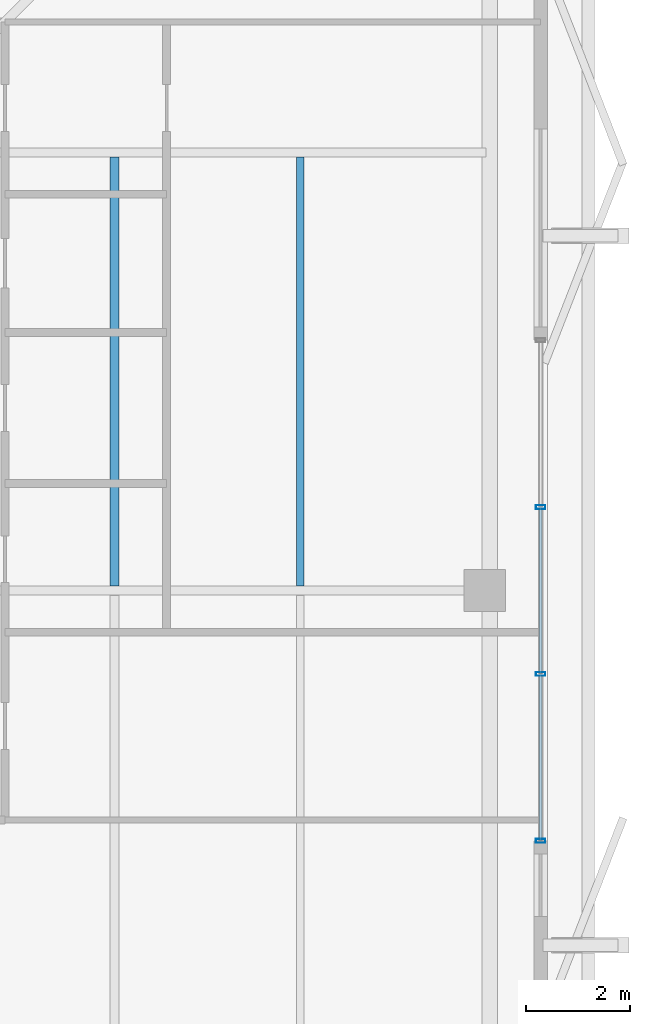
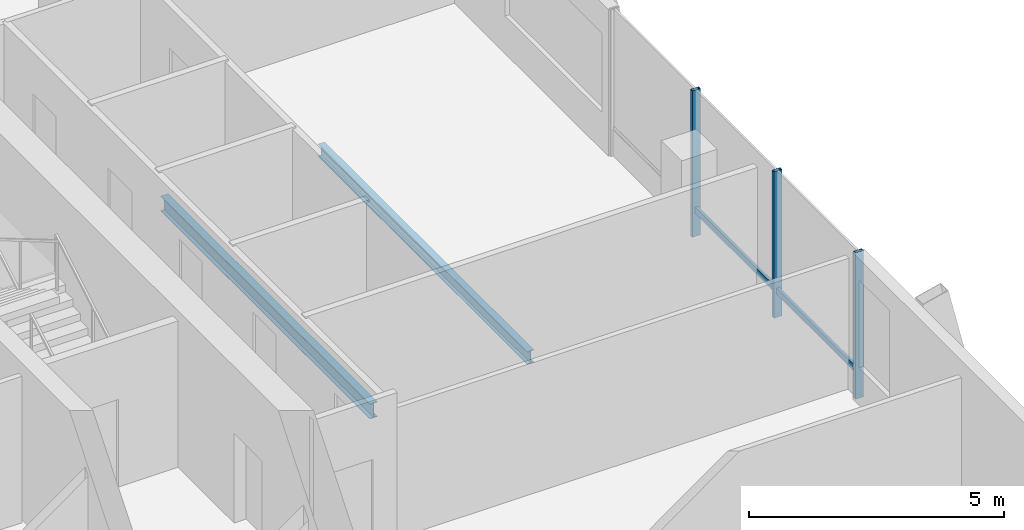
# One storey, part 9 of 18: 5 members, 2 beams, 1 element without a shape of its own.
"""IFC4 building model written with IfcOpenShell, lengths in metres."""

from ifc_helpers import new_model, si_unit, direction, frame, origin, origin_2d, place, context, subcontext, project, spatial, hollow_rectangle, i_section, extrude, material, layer, layer_set, material_profile, profile_set, type_object, element, aggregate, save


model = new_model("IFC4")

# Units and contexts
model_context = context("Model", 3, precision=1e-05, world=origin(), true_north=direction((0.0, 1.0)))
body_context = subcontext(model_context, "Body", "Model", "MODEL_VIEW")
ifc_project = project(units=[si_unit("LENGTHUNIT", "METRE"), si_unit("AREAUNIT", "SQUARE_METRE"), si_unit("VOLUMEUNIT", "CUBIC_METRE"), si_unit("PLANEANGLEUNIT", "RADIAN"), si_unit("MASSUNIT", "GRAM", prefix="KILO")], contexts=[model_context])

# Site, building, storey
site_placement = place(None, origin())
site = spatial("IfcSite", under=ifc_project, at=site_placement, CompositionType="ELEMENT")
building_placement = place(site_placement, origin())
building = spatial("IfcBuilding", under=site, at=building_placement, Name="Belovzor Exchange Tower", CompositionType="ELEMENT")
storey_placement = place(building_placement, frame((0.0, 0.0, 344.25)))
storey = spatial("IfcBuildingStorey", under=building, at=storey_placement, Name="L86", CompositionType="ELEMENT", Elevation=344.25)

# Beams
ifc_material_1 = material(Name="Steel S355", Category="steel")
ifc_material_profile_1 = material_profile(ifc_material_1, i_section(OverallWidth=0.169921875, OverallDepth=0.360107421875, WebThickness=0.008056640625, FlangeThickness=0.0126953125, at=origin_2d()))
ifc_profile_set_1 = profile_set([ifc_material_profile_1], Name="Steel S355")
beam_type_1 = type_object("IfcBeamType", Name="Secondary Infill Floor Joist IPE 360", PredefinedType="BEAM", material=ifc_profile_set_1)
beam_1_placement = place(storey_placement, frame((41.802978515625, 28.889892578125, -0.419921875), z_axis=(0.0, 1.0, 0.0), x_axis=(-1.0, 0.0, 0.0)))
element("IfcBeam", 1, at=beam_1_placement, inside=storey, type_object=beam_type_1, Name="FJ-360 Secondary Infill Floor Joist IPE 360", PredefinedType="BEAM", context=body_context, shape_type="SweptSolid", body=[
    extrude(i_section(OverallWidth=0.169921875, OverallDepth=0.360107421875, WebThickness=0.008056640625, FlangeThickness=0.0126953125, at=origin_2d()), origin(), (0.0, 0.0, 1.0), 8.22021484375),
])
ifc_material_2 = material(Name="Steel S355", Category="steel")
ifc_material_profile_2 = material_profile(ifc_material_2, i_section(OverallWidth=0.14990234375, OverallDepth=0.300048828125, WebThickness=0.007080078125, FlangeThickness=0.0107421875, at=origin_2d()))
ifc_profile_set_2 = profile_set([ifc_material_profile_2], Name="Steel S355")
beam_type_2 = type_object("IfcBeamType", Name="Secondary Trim Floor Joist IPE 300", PredefinedType="BEAM", material=ifc_profile_set_2)
beam_2_placement = place(storey_placement, frame((45.361083984375, 28.889892578125, -0.389892578125), z_axis=(0.0, 1.0, 0.0), x_axis=(-1.0, 0.0, 0.0)))
element("IfcBeam", 2, at=beam_2_placement, inside=storey, type_object=beam_type_2, Name="FJ-300 Secondary Trim Floor Joist IPE 300", PredefinedType="BEAM", context=body_context, shape_type="SweptSolid", body=[
    extrude(i_section(OverallWidth=0.14990234375, OverallDepth=0.300048828125, WebThickness=0.007080078125, FlangeThickness=0.0107421875, at=origin_2d()), origin(), (0.0, 0.0, 1.0), 8.22021484375),
])

# Curtain wall, members
ifc_material_3 = material(Name="Anodised Aluminium Framing", Category="aluminium")
ifc_layer = layer(ifc_material_3, 0.179931640625)
ifc_layer_set = layer_set([ifc_layer], Name="Anodised Aluminium Framing")
curtain_wall_type = type_object("IfcCurtainWallType", Name="Recessed Loggia Low-Iron Triple-Glazed Curtain Wall", PredefinedType="NOTDEFINED", material=ifc_layer_set)
curtain_wall_placement = place(storey_placement, origin())
curtain_wall = element("IfcCurtainWall", 3, at=curtain_wall_placement, inside=storey, type_object=curtain_wall_type, Name="CW3 Recessed Loggia Low-Iron Triple-Glazed Curtain Wall L86", PredefinedType="NOTDEFINED")
ifc_material_4 = material(Name="Steel S355", Category="steel")
ifc_material_profile_3 = material_profile(ifc_material_4, hollow_rectangle(XDim=0.074951171875, YDim=0.179931640625, WallThickness=0.0048828125, at=origin_2d()))
ifc_profile_set_3 = profile_set([ifc_material_profile_3], Name="Steel S355")
member_type_1 = type_object("IfcMemberType", Name="Thermally Broken Curtain Wall Mullion 180x75", PredefinedType="MULLION", material=ifc_profile_set_3)
member_1_placement = place(storey_placement, frame((49.969970703125, 30.39990234375, 0.0), z_axis=(0.0, 0.0, 1.0), x_axis=(0.0, -1.0, 0.0)))
member_1 = element("IfcMember", 4, at=member_1_placement, type_object=member_type_1, Name="CW-M180 Curtain Wall Mullion 2", PredefinedType="MULLION", context=body_context, shape_type="SweptSolid", body=[
    extrude(hollow_rectangle(XDim=0.074951171875, YDim=0.179931640625, WallThickness=0.0048828125, at=origin_2d()), origin(), (0.0, 0.0, 1.0), 3.510009765625),
])
member_2_placement = place(storey_placement, frame((49.969970703125, 27.199951171875, 0.0), z_axis=(0.0, 0.0, 1.0), x_axis=(0.0, -1.0, 0.0)))
member_2 = element("IfcMember", 5, at=member_2_placement, type_object=member_type_1, Name="CW-M180 Curtain Wall Mullion 3", PredefinedType="MULLION", context=body_context, shape_type="SweptSolid", body=[
    extrude(hollow_rectangle(XDim=0.074951171875, YDim=0.179931640625, WallThickness=0.0048828125, at=origin_2d()), origin(), (0.0, 0.0, 1.0), 3.510009765625),
])
member_3_placement = place(storey_placement, frame((49.969970703125, 24.0, 0.0), z_axis=(0.0, 0.0, 1.0), x_axis=(0.0, -1.0, 0.0)))
member_3 = element("IfcMember", 6, at=member_3_placement, type_object=member_type_1, Name="CW-M180 Curtain Wall Mullion 4", PredefinedType="MULLION", context=body_context, shape_type="SweptSolid", body=[
    extrude(hollow_rectangle(XDim=0.074951171875, YDim=0.179931640625, WallThickness=0.0048828125, at=origin_2d()), origin(), (0.0, 0.0, 1.0), 3.510009765625),
])
ifc_material_5 = material(Name="Steel S355", Category="steel")
ifc_material_profile_4 = material_profile(ifc_material_5, hollow_rectangle(XDim=0.06005859375, YDim=0.14990234375, WallThickness=0.00390625, at=origin_2d()))
ifc_profile_set_4 = profile_set([ifc_material_profile_4], Name="Steel S355")
member_type_2 = type_object("IfcMemberType", Name="Thermally Broken Curtain Wall Transom 150x60", PredefinedType="USERDEFINED", material=ifc_profile_set_4)
member_4_placement = place(storey_placement, frame((49.969970703125, 30.39208984375, 0.632080078125), z_axis=(0.0, -1.0, 0.0), x_axis=(1.0, 0.0, 0.0)))
member_4 = element("IfcMember", 7, at=member_4_placement, type_object=member_type_2, Name="CW-T150 Curtain Wall Transom 2", ObjectType="TRANSOM", PredefinedType="USERDEFINED", context=body_context, shape_type="SweptSolid", body=[
    extrude(hollow_rectangle(XDim=0.06005859375, YDim=0.14990234375, WallThickness=0.00390625, at=origin_2d()), origin(), (0.0, 0.0, 1.0), 3.18408203125),
])
member_5_placement = place(storey_placement, frame((49.969970703125, 27.19189453125, 0.632080078125), z_axis=(0.0, -1.0, 0.0), x_axis=(1.0, 0.0, 0.0)))
member_5 = element("IfcMember", 8, at=member_5_placement, type_object=member_type_2, Name="CW-T150 Curtain Wall Transom 3", ObjectType="TRANSOM", PredefinedType="USERDEFINED", context=body_context, shape_type="SweptSolid", body=[
    extrude(hollow_rectangle(XDim=0.06005859375, YDim=0.14990234375, WallThickness=0.00390625, at=origin_2d()), origin(), (0.0, 0.0, 1.0), 3.183837890625),
])
aggregate(curtain_wall, [member_1, member_2, member_3, member_4, member_5])

save(model, "model.ifc")
